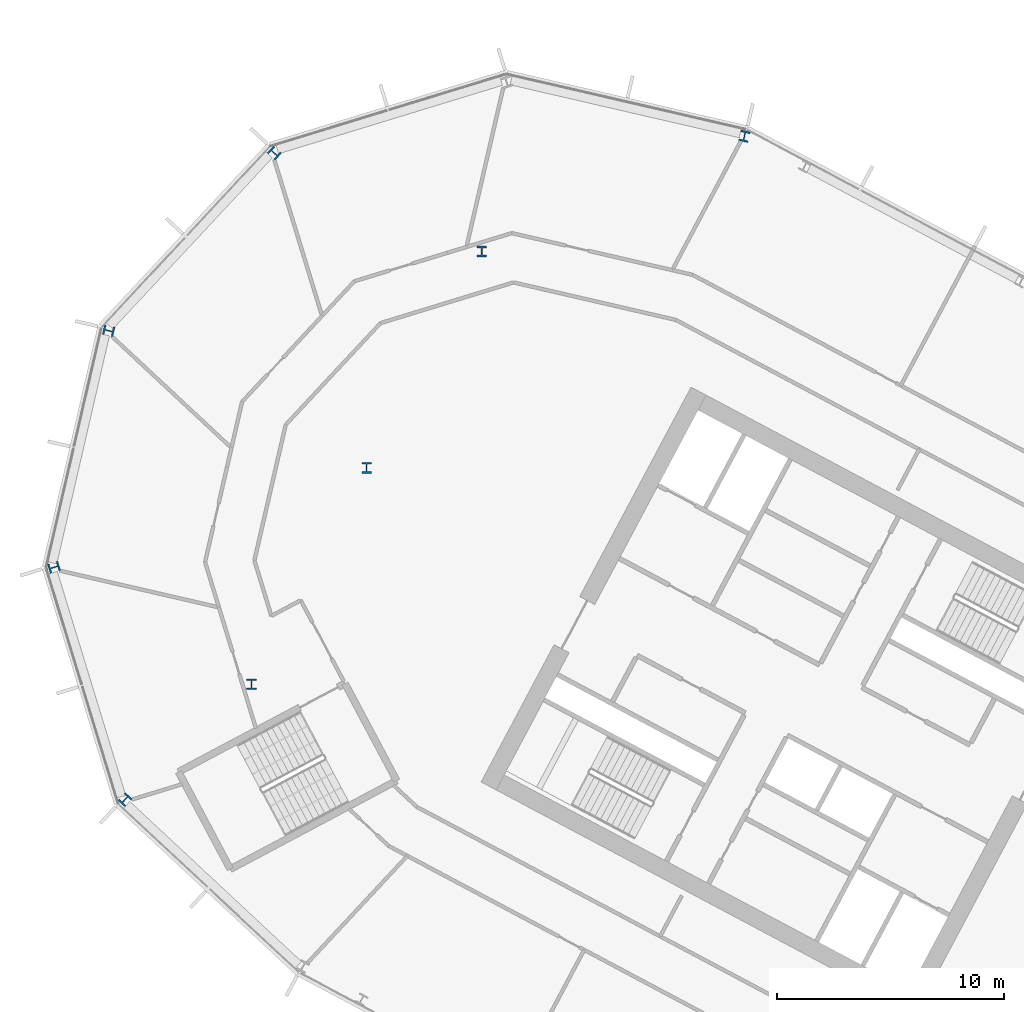
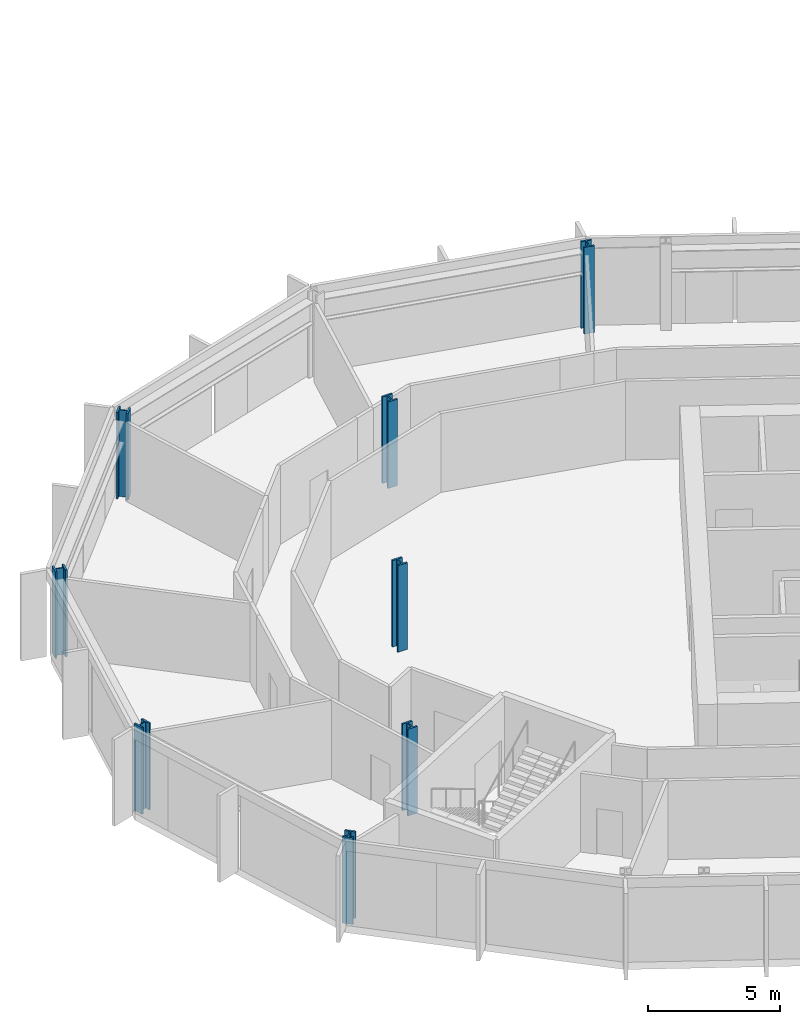
# One storey, part 3 of 28: 8 columns.
"""IFC4 building model written with IfcOpenShell, lengths in metres."""

from ifc_helpers import new_model, si_unit, direction, frame, origin, origin_2d, place, context, subcontext, project, spatial, i_section, extrude, material, material_profile, profile_set, type_object, element, save


model = new_model("IFC4")

# Units and contexts
model_context = context("Model", 3, precision=1e-05, world=origin(), true_north=direction((0.0, 1.0)))
body_context = subcontext(model_context, "Body", "Model", "MODEL_VIEW")
ifc_project = project(units=[si_unit("LENGTHUNIT", "METRE"), si_unit("AREAUNIT", "SQUARE_METRE"), si_unit("VOLUMEUNIT", "CUBIC_METRE"), si_unit("PLANEANGLEUNIT", "RADIAN"), si_unit("MASSUNIT", "GRAM", prefix="KILO")], contexts=[model_context])

# Site, building, storey
site_placement = place(None, origin())
site = spatial("IfcSite", under=ifc_project, at=site_placement, CompositionType="ELEMENT")
building_placement = place(site_placement, origin())
building = spatial("IfcBuilding", under=site, at=building_placement, Name="Cormorant Relay Tower", CompositionType="ELEMENT")
storey_placement = place(building_placement, frame((0.0, 0.0, 130.199951171875)))
storey = spatial("IfcBuildingStorey", under=building, at=storey_placement, Name="L26", CompositionType="ELEMENT", Elevation=130.199951171875)

# Columns
ifc_material = material(Name="Steel ASTM A992 (Fy 345 MPa)", Category="steel")
ifc_material_profile = material_profile(ifc_material, i_section(OverallWidth=0.42431640625, OverallDepth=0.47509765625, WebThickness=0.0478515625, FlangeThickness=0.0771484375, FilletRadius=0.014892578125, at=origin_2d()), Name="W360x634")
ifc_profile_set = profile_set([ifc_material_profile], Name="Steel ASTM A992 (Fy 345 MPa)")
column_type = type_object("IfcColumnType", Name="Column W360x634", PredefinedType="COLUMN", material=ifc_profile_set)
for number, where, z_axis, x_axis, name in (
    (1, (-57.261962890625, 10.173095703125, 0.0), (0.0, 0.0, 1.0), (0.731353701619, -0.681998360062, 0.0), "Column L26-022"),
    (2, (-51.68994140625, 15.251953125, 0.0), (0.0, 0.0, 1.0), (1.0, 0.0, 0.0), "Column L26-028"),
    (3, (-60.389892578125, 20.405029296875, 0.0), (0.0, 0.0, 1.0), (0.292371704723, -0.956304755963, 0.0), "Column L26-030"),
    (4, (-46.6201171875, 24.7880859375, 0.0), (0.0, 0.0, 1.0), (1.0, 0.0, 0.0), "Column L26-033"),
    (5, (-57.98291015625, 30.830078125, 0.0), (0.0, 0.0, 1.0), (-0.224951054344, -0.974370064785, 0.0), "Column L26-037"),
    (6, (-41.549072265625, 34.323974609375, 0.0), (0.0, 0.0, 1.0), (1.0, 0.0, 0.0), "Column L26-041"),
    (7, (-50.68603515625, 38.655029296875, 0.0), (0.0, 0.0, 1.0), (-0.681998360062, -0.731353701619, 0.0), "Column L26-045"),
    (8, (-29.97509765625, 39.39599609375, 0.0), (0.0, 0.0, 1.0), (-0.974370064785, 0.224951054344, 0.0), "Column L26-046"),
):
    element("IfcColumn", number, at=place(storey_placement, frame(where, z_axis=z_axis, x_axis=x_axis)), inside=storey, type_object=column_type, Name=name, PredefinedType="COLUMN", context=body_context, shape_type="SweptSolid", body=[
        extrude(i_section(OverallWidth=0.42431640625, OverallDepth=0.47509765625, WebThickness=0.0478515625, FlangeThickness=0.0771484375, FilletRadius=0.014892578125, at=origin_2d()), origin(), (0.0, 0.0, 1.0), 4.0),
    ])

save(model, "model.ifc")
